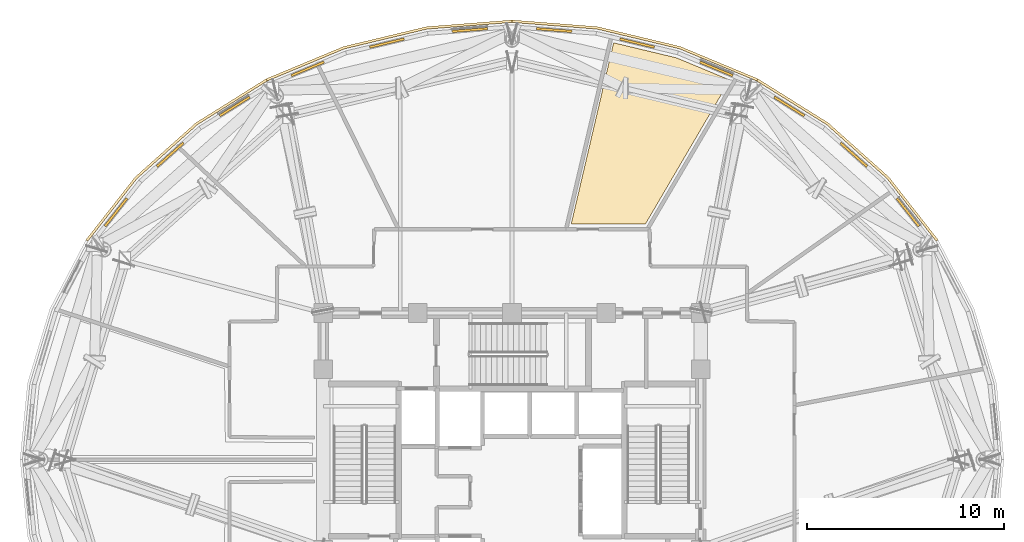
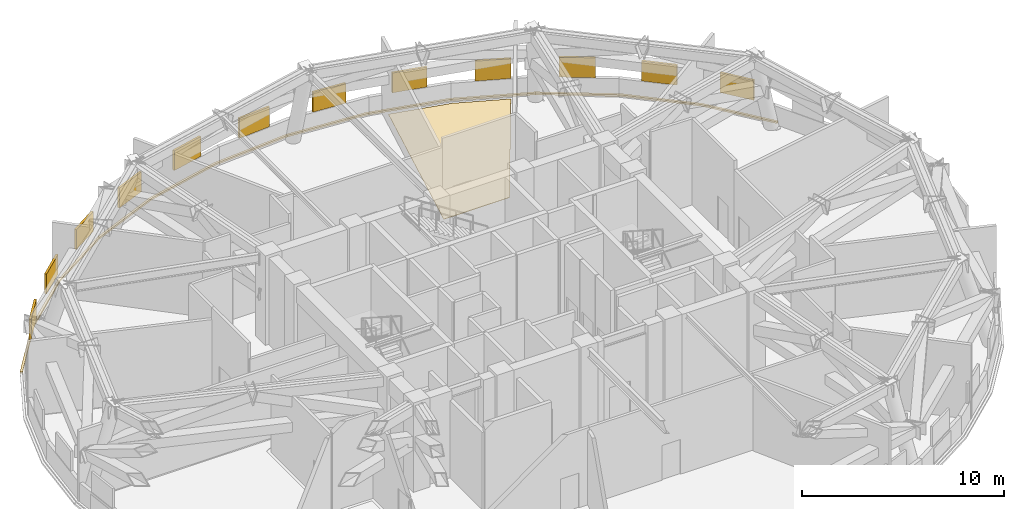
# One storey, part 13 of 13: 12 shading devices, 5 coverings.
"""IFC4 building model written with IfcOpenShell, lengths in metres."""

from ifc_helpers import new_model, si_unit, direction, frame, origin, origin_2d, place, context, subcontext, project, spatial, polyline, rectangle, outline, extrude, material, layer, layer_set, type_object, element, save


model = new_model("IFC4")

# Units and contexts
model_context = context("Model", 3, precision=1e-05, world=origin(), true_north=direction((0.0, 1.0)))
body_context = subcontext(model_context, "Body", "Model", "MODEL_VIEW")
ifc_project = project(units=[si_unit("LENGTHUNIT", "METRE"), si_unit("AREAUNIT", "SQUARE_METRE"), si_unit("VOLUMEUNIT", "CUBIC_METRE"), si_unit("PLANEANGLEUNIT", "RADIAN"), si_unit("MASSUNIT", "GRAM", prefix="KILO")], contexts=[model_context])

# Site, building, storey
site_placement = place(None, origin())
site = spatial("IfcSite", under=ifc_project, at=site_placement, CompositionType="ELEMENT")
building_placement = place(site_placement, origin())
building = spatial("IfcBuilding", under=site, at=building_placement, Name="Vantalir Tower", CompositionType="ELEMENT")
storey_placement = place(building_placement, frame((0.0, 0.0, 175.949951171875)))
storey = spatial("IfcBuildingStorey", under=building, at=storey_placement, Name="L44", CompositionType="ELEMENT", Elevation=175.949951171875)

# Coverings
ifc_material_1 = material(Name="Anodised champagne aluminium sill fascia", Category="aluminium")
ifc_layer_1 = layer(ifc_material_1, 0.125)
ifc_layer_set_1 = layer_set([ifc_layer_1], Name="Anodised champagne aluminium sill fascia")
covering_type_1 = type_object("IfcCoveringType", Name="COV-SLAB-FASCIA-125", PredefinedType="CLADDING", material=ifc_layer_set_1)
covering_1_placement = place(storey_placement, frame((0.0, 0.0, -0.179931640625)))
element("IfcCovering", 1, at=covering_1_placement, inside=storey, type_object=covering_type_1, Name="L44 Perimeter Slab-Edge Sill Fascia 02", PredefinedType="CLADDING", context=body_context, shape_type="SweptSolid", body=[
    extrude(outline(polyline([(53.172119140625, 36.177978515625), (50.669921875, 39.37109375), (47.5859375, 42.1259765625), (44.012939453125, 44.362060546875), (43.949951171875, 44.2529296875), (47.5048828125, 42.031005859375), (50.574951171875, 39.2900390625), (53.06396484375, 36.115966796875), (53.172119140625, 36.177978515625)])), origin(), (0.0, 0.0, 1.0), 0.10498046875),
])
covering_2_placement = place(storey_placement, frame((0.0, 0.0, -0.179931640625)))
element("IfcCovering", 2, at=covering_2_placement, inside=storey, type_object=covering_type_1, Name="L44 Perimeter Slab-Edge Sill Fascia 03", PredefinedType="CLADDING", context=body_context, shape_type="SweptSolid", body=[
    extrude(outline(polyline([(44.012939453125, 44.362060546875), (40.05908203125, 46.009033203125), (35.845947265625, 47.01708984375), (31.5, 47.35693359375), (31.5, 47.23193359375), (35.823974609375, 46.89404296875), (40.01611328125, 45.89111328125), (43.949951171875, 44.2529296875), (44.012939453125, 44.362060546875)])), origin(), (0.0, 0.0, 1.0), 0.10498046875),
])
covering_3_placement = place(storey_placement, frame((0.0, 0.0, -0.179931640625)))
element("IfcCovering", 3, at=covering_3_placement, inside=storey, type_object=covering_type_1, Name="L44 Perimeter Slab-Edge Sill Fascia 04", PredefinedType="CLADDING", context=body_context, shape_type="SweptSolid", body=[
    extrude(outline(polyline([(31.5, 47.35693359375), (27.154052734375, 47.01708984375), (22.94091796875, 46.009033203125), (18.988037109375, 44.362060546875), (19.050048828125, 44.2529296875), (22.98388671875, 45.89111328125), (27.176025390625, 46.89404296875), (31.5, 47.23193359375), (31.5, 47.35693359375)])), origin(), (0.0, 0.0, 1.0), 0.10498046875),
])
covering_4_placement = place(storey_placement, frame((0.0, 0.0, -0.179931640625)))
element("IfcCovering", 4, at=covering_4_placement, inside=storey, type_object=covering_type_1, Name="L44 Perimeter Slab-Edge Sill Fascia 05", PredefinedType="CLADDING", context=body_context, shape_type="SweptSolid", body=[
    extrude(outline(polyline([(18.988037109375, 44.362060546875), (15.4140625, 42.1259765625), (12.330078125, 39.37109375), (9.827880859375, 36.177978515625), (9.93603515625, 36.115966796875), (12.425048828125, 39.2900390625), (15.4951171875, 42.031005859375), (19.050048828125, 44.2529296875), (18.988037109375, 44.362060546875)])), origin(), (0.0, 0.0, 1.0), 0.10498046875),
])
ifc_material_2 = material(Name="Tropical teak timber and terrazzo floor finish", Category="wood")
ifc_layer_2 = layer(ifc_material_2, 0.02490234375)
ifc_layer_set_2 = layer_set([ifc_layer_2], Name="Tropical teak timber and terrazzo floor finish")
covering_type_2 = type_object("IfcCoveringType", Name="COV-TIMBER-STONE-25", PredefinedType="FLOORING", material=ifc_layer_set_2)
covering_5_placement = place(storey_placement, origin())
element("IfcCovering", 5, at=covering_5_placement, inside=storey, type_object=covering_type_2, Name="L44 East Air Handling Plant Room Floor Finish", PredefinedType="FLOORING", context=body_context, shape_type="SweptSolid", body=[
    extrude(outline(polyline([(36.6689453125, 46.197998046875), (34.510009765625, 36.97509765625), (38.283935546875, 36.97509765625), (42.576904296875, 44.303955078125), (39.866943359375, 45.43310546875), (36.6689453125, 46.197998046875)])), origin(), (0.0, 0.0, 1.0), 0.025146484375),
])

# Shading devices
ifc_material_3 = material(Name="Champagne-silver PVDF aluminium storm louvre", Category="aluminium")
ifc_layer_3 = layer(ifc_material_3, 0.1201171875)
ifc_layer_set_3 = layer_set([ifc_layer_3], Name="Champagne-silver PVDF aluminium storm louvre")
shading_device_type = type_object("IfcShadingDeviceType", Name="SHD-STORM-LOUVRE", PredefinedType="JALOUSIE", material=ifc_layer_set_3)
for number, where, z_axis, x_axis, name in (
    (6, (51.639892578125, 37.577880859375, 1.1162109375), (0.0, 0.0, 1.0), (-0.617585109014, 0.78650405792, 0.0), "L44 Acoustic Storm Louvre R04"),
    (7, (48.885009765625, 40.506103515625, 1.1162109375), (0.0, 0.0, 1.0), (-0.746313000263, 0.665595151454, 0.0), "L44 Acoustic Storm Louvre R05"),
    (8, (45.60205078125, 42.962890625, 1.1162109375), (0.0, 0.0, 1.0), (-0.848159063587, 0.529741637834, 0.0), "L44 Acoustic Storm Louvre R06"),
    (9, (41.889892578125, 44.8740234375, 1.1162109375), (0.0, 0.0, 1.0), (-0.923290683488, 0.384101957537, 0.0), "L44 Acoustic Storm Louvre R07"),
    (10, (37.864013671875, 46.181884765625, 1.1162109375), (0.0, 0.0, 1.0), (-0.972609793841, 0.23244394792, 0.0), "L44 Acoustic Storm Louvre R08"),
    (11, (33.64306640625, 46.844970703125, 1.1162109375), (0.0, 0.0, 1.0), (-0.996977292027, 0.077693495115, 0.0), "L44 Acoustic Storm Louvre R09"),
    (12, (29.35693359375, 46.844970703125, 1.1162109375), (0.0, 0.0, 1.0), (-0.996977292027, -0.077693495115, 0.0), "L44 Acoustic Storm Louvre R10"),
    (13, (25.135986328125, 46.181884765625, 1.1162109375), (0.0, 0.0, 1.0), (-0.972609793841, -0.23244394792, 0.0), "L44 Acoustic Storm Louvre R11"),
    (14, (21.110107421875, 44.8740234375, 1.1162109375), (0.0, 0.0, 1.0), (-0.923290683488, -0.384101957537, 0.0), "L44 Acoustic Storm Louvre R12"),
    (15, (17.39794921875, 42.962890625, 1.1162109375), (0.0, 0.0, 1.0), (-0.848159063587, -0.529741637834, 0.0), "L44 Acoustic Storm Louvre R13"),
    (16, (14.114990234375, 40.506103515625, 1.1162109375), (0.0, 0.0, 1.0), (-0.746313000263, -0.665595151454, 0.0), "L44 Acoustic Storm Louvre R14"),
    (17, (11.360107421875, 37.577880859375, 1.1162109375), (0.0, 0.0, 1.0), (-0.617585109014, -0.78650405792, 0.0), "L44 Acoustic Storm Louvre R15"),
):
    element("IfcShadingDevice", number, at=place(storey_placement, frame(where, z_axis=z_axis, x_axis=x_axis)), inside=storey, type_object=shading_device_type, Name=name, PredefinedType="JALOUSIE", context=body_context, shape_type="SweptSolid", body=[
        extrude(rectangle(XDim=1.800048828125, YDim=0.1201171875, at=origin_2d()), origin(), (0.0, 0.0, 1.0), 1.199951171875),
    ])

save(model, "model.ifc")
